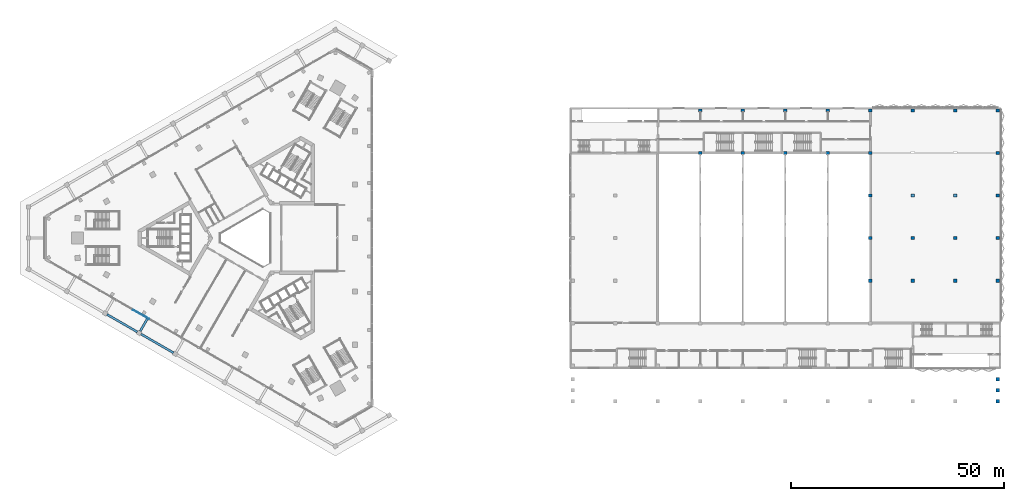
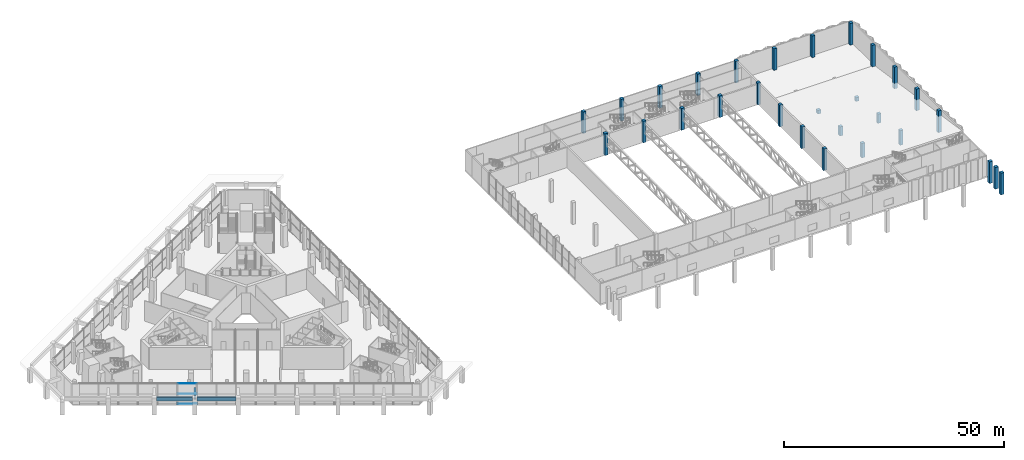
# One storey, part 2 of 51: 29 columns, 3 beams, 3 members, 1 element without a shape of its own.
"""IFC4 building model written with IfcOpenShell, lengths in metres."""

from ifc_helpers import new_model, si_unit, direction, frame, origin, origin_2d, place, context, subcontext, project, spatial, rectangle, extrude, material, layer, layer_set, material_profile, profile_set, type_object, element, aggregate, save


model = new_model("IFC4")

# Units and contexts
model_context = context("Model", 3, precision=1e-05, world=origin(), true_north=direction((0.0, 1.0)))
body_context = subcontext(model_context, "Body", "Model", "MODEL_VIEW")
ifc_project = project(units=[si_unit("LENGTHUNIT", "METRE"), si_unit("AREAUNIT", "SQUARE_METRE"), si_unit("VOLUMEUNIT", "CUBIC_METRE"), si_unit("PLANEANGLEUNIT", "RADIAN"), si_unit("MASSUNIT", "GRAM", prefix="KILO")], contexts=[model_context])

# Site, building, storey
site_placement = place(None, origin())
site = spatial("IfcSite", under=ifc_project, at=site_placement, CompositionType="ELEMENT")
building_placement = place(site_placement, origin())
building = spatial("IfcBuilding", under=site, at=building_placement, Name="Jabali Bay Hotel Tower and Convention Centre", CompositionType="ELEMENT")
storey_placement = place(building_placement, frame((0.0, 0.0, 9.0)))
storey = spatial("IfcBuildingStorey", under=building, at=storey_placement, Name="L01", CompositionType="ELEMENT", Elevation=9.0)

# Columns
ifc_material_1 = material(Name="Concrete C60", Category="concrete")
ifc_material_profile_1 = material_profile(ifc_material_1, rectangle(XDim=0.800048828125, YDim=0.800048828125, at=origin_2d()), Name="RC 800x800")
ifc_profile_set_1 = profile_set([ifc_material_profile_1], Name="Concrete C60")
column_type_1 = type_object("IfcColumnType", Name="CC Column 800x800 C60", PredefinedType="COLUMN", material=ifc_profile_set_1)
for number, where, z_axis, x_axis, name in (
    (1, (180.699951171875, 100.0, 0.0), (0.0, 0.0, 1.0), (1.0, 0.0, 0.0), "CC column CC4/F"),
    (2, (180.699951171875, 110.0, 0.0), (0.0, 0.0, 1.0), (1.0, 0.0, 0.0), "CC column CC4/G"),
    (3, (190.699951171875, 100.0, 0.0), (0.0, 0.0, 1.0), (1.0, 0.0, 0.0), "CC column CC5/F"),
    (4, (190.699951171875, 110.0, 0.0), (0.0, 0.0, 1.0), (1.0, 0.0, 0.0), "CC column CC5/G"),
    (5, (200.699951171875, 100.0, 0.0), (0.0, 0.0, 1.0), (1.0, 0.0, 0.0), "CC column CC6/F"),
    (6, (200.699951171875, 110.0, 0.0), (0.0, 0.0, 1.0), (1.0, 0.0, 0.0), "CC column CC6/G"),
    (7, (210.699951171875, 100.0, 0.0), (0.0, 0.0, 1.0), (1.0, 0.0, 0.0), "CC column CC7/F"),
    (8, (210.699951171875, 110.0, 0.0), (0.0, 0.0, 1.0), (1.0, 0.0, 0.0), "CC column CC7/G"),
    (9, (220.699951171875, 70.0, 0.0), (0.0, 0.0, 1.0), (1.0, 0.0, 0.0), "CC column CC8/C"),
    (10, (220.699951171875, 80.0, 0.0), (0.0, 0.0, 1.0), (1.0, 0.0, 0.0), "CC column CC8/D"),
    (11, (220.699951171875, 90.0, 0.0), (0.0, 0.0, 1.0), (1.0, 0.0, 0.0), "CC column CC8/E"),
    (12, (220.699951171875, 100.0, 0.0), (0.0, 0.0, 1.0), (1.0, 0.0, 0.0), "CC column CC8/F"),
    (13, (220.699951171875, 110.0, 0.0), (0.0, 0.0, 1.0), (1.0, 0.0, 0.0), "CC column CC8/G"),
):
    element("IfcColumn", number, at=place(storey_placement, frame(where, z_axis=z_axis, x_axis=x_axis)), inside=storey, type_object=column_type_1, Name=name, PredefinedType="COLUMN", context=body_context, shape_type="SweptSolid", body=[
        extrude(rectangle(XDim=0.800048828125, YDim=0.800048828125, at=origin_2d()), origin(), (0.0, 0.0, 1.0), 6.0),
    ])
column_1_placement = place(storey_placement, frame((230.699951171875, 70.0, 0.0), z_axis=(0.0, 0.0, 1.0), x_axis=(1.0, 0.0, 0.0)))
element("IfcColumn", 14, at=column_1_placement, inside=storey, type_object=column_type_1, Name="CC column CC9/C", PredefinedType="COLUMN", context=body_context, shape_type="SweptSolid", body=[
    extrude(rectangle(XDim=0.800048828125, YDim=0.800048828125, at=origin_2d()), origin(), (0.0, 0.0, 1.0), 4.044921875),
])
column_2_placement = place(storey_placement, frame((230.699951171875, 80.0, 0.0), z_axis=(0.0, 0.0, 1.0), x_axis=(1.0, 0.0, 0.0)))
element("IfcColumn", 15, at=column_2_placement, inside=storey, type_object=column_type_1, Name="CC column CC9/D", PredefinedType="COLUMN", context=body_context, shape_type="SweptSolid", body=[
    extrude(rectangle(XDim=0.800048828125, YDim=0.800048828125, at=origin_2d()), origin(), (0.0, 0.0, 1.0), 2.544921875),
])
column_3_placement = place(storey_placement, frame((230.699951171875, 90.0, 0.0), z_axis=(0.0, 0.0, 1.0), x_axis=(1.0, 0.0, 0.0)))
element("IfcColumn", 16, at=column_3_placement, inside=storey, type_object=column_type_1, Name="CC column CC9/E", PredefinedType="COLUMN", context=body_context, shape_type="SweptSolid", body=[
    extrude(rectangle(XDim=0.800048828125, YDim=0.800048828125, at=origin_2d()), origin(), (0.0, 0.0, 1.0), 1.044921875),
])
column_4_placement = place(storey_placement, frame((230.699951171875, 110.0, 0.0), z_axis=(0.0, 0.0, 1.0), x_axis=(1.0, 0.0, 0.0)))
element("IfcColumn", 17, at=column_4_placement, inside=storey, type_object=column_type_1, Name="CC column CC9/G", PredefinedType="COLUMN", context=body_context, shape_type="SweptSolid", body=[
    extrude(rectangle(XDim=0.800048828125, YDim=0.800048828125, at=origin_2d()), origin(), (0.0, 0.0, 1.0), 6.0),
])
column_5_placement = place(storey_placement, frame((240.699951171875, 70.0, 0.0), z_axis=(0.0, 0.0, 1.0), x_axis=(1.0, 0.0, 0.0)))
element("IfcColumn", 18, at=column_5_placement, inside=storey, type_object=column_type_1, Name="CC column CC10/C", PredefinedType="COLUMN", context=body_context, shape_type="SweptSolid", body=[
    extrude(rectangle(XDim=0.800048828125, YDim=0.800048828125, at=origin_2d()), origin(), (0.0, 0.0, 1.0), 4.044921875),
])
column_6_placement = place(storey_placement, frame((240.699951171875, 80.0, 0.0), z_axis=(0.0, 0.0, 1.0), x_axis=(1.0, 0.0, 0.0)))
element("IfcColumn", 19, at=column_6_placement, inside=storey, type_object=column_type_1, Name="CC column CC10/D", PredefinedType="COLUMN", context=body_context, shape_type="SweptSolid", body=[
    extrude(rectangle(XDim=0.800048828125, YDim=0.800048828125, at=origin_2d()), origin(), (0.0, 0.0, 1.0), 2.544921875),
])
column_7_placement = place(storey_placement, frame((240.699951171875, 90.0, 0.0), z_axis=(0.0, 0.0, 1.0), x_axis=(1.0, 0.0, 0.0)))
element("IfcColumn", 20, at=column_7_placement, inside=storey, type_object=column_type_1, Name="CC column CC10/E", PredefinedType="COLUMN", context=body_context, shape_type="SweptSolid", body=[
    extrude(rectangle(XDim=0.800048828125, YDim=0.800048828125, at=origin_2d()), origin(), (0.0, 0.0, 1.0), 1.044921875),
])
for number, where, z_axis, x_axis, name in (
    (21, (240.699951171875, 110.0, 0.0), (0.0, 0.0, 1.0), (1.0, 0.0, 0.0), "CC column CC10/G"),
    (22, (250.699951171875, 70.0, 0.0), (0.0, 0.0, 1.0), (1.0, 0.0, 0.0), "CC column CC11/C"),
    (23, (250.699951171875, 80.0, 0.0), (0.0, 0.0, 1.0), (1.0, 0.0, 0.0), "CC column CC11/D"),
    (24, (250.699951171875, 90.0, 0.0), (0.0, 0.0, 1.0), (1.0, 0.0, 0.0), "CC column CC11/E"),
    (25, (250.699951171875, 100.0, 0.0), (0.0, 0.0, 1.0), (1.0, 0.0, 0.0), "CC column CC11/F"),
    (26, (250.699951171875, 110.0, 0.0), (0.0, 0.0, 1.0), (1.0, 0.0, 0.0), "CC column CC11/G"),
):
    element("IfcColumn", number, at=place(storey_placement, frame(where, z_axis=z_axis, x_axis=x_axis)), inside=storey, type_object=column_type_1, Name=name, PredefinedType="COLUMN", context=body_context, shape_type="SweptSolid", body=[
        extrude(rectangle(XDim=0.800048828125, YDim=0.800048828125, at=origin_2d()), origin(), (0.0, 0.0, 1.0), 6.0),
    ])
ifc_material_profile_2 = material_profile(ifc_material_1, rectangle(XDim=0.800048828125, YDim=0.800048828125, at=origin_2d()), Name="RC 800x800")
ifc_profile_set_2 = profile_set([ifc_material_profile_2], Name="Concrete C60")
column_type_2 = type_object("IfcColumnType", Name="CC South Pier 800x800", PredefinedType="COLUMN", material=ifc_profile_set_2)
for number, where, z_axis, x_axis, name in (
    (27, (250.699951171875, 44.199951171875, 0.0), (0.0, 0.0, 1.0), (1.0, 0.0, 0.0), "CC south roof return pier E1"),
    (28, (250.699951171875, 46.800048828125, 0.0), (0.0, 0.0, 1.0), (1.0, 0.0, 0.0), "CC south roof return pier E2"),
    (29, (250.699951171875, 41.60009765625, 0.0), (0.0, 0.0, 1.0), (1.0, 0.0, 0.0), "CC south roof pier 11"),
):
    element("IfcColumn", number, at=place(storey_placement, frame(where, z_axis=z_axis, x_axis=x_axis)), inside=storey, type_object=column_type_2, Name=name, PredefinedType="COLUMN", context=body_context, shape_type="SweptSolid", body=[
        extrude(rectangle(XDim=0.800048828125, YDim=0.800048828125, at=origin_2d()), origin(), (0.0, 0.0, 1.0), 6.0),
    ])

# Beams
ifc_material_2 = material(Name="Concrete C40", Category="concrete")
ifc_material_profile_3 = material_profile(ifc_material_2, rectangle(XDim=0.5, YDim=1.0, at=origin_2d()), Name="RC 500x1000")
ifc_profile_set_3 = profile_set([ifc_material_profile_3], Name="Concrete C40")
beam_type = type_object("IfcBeamType", Name="Arcade Edge Beam 500x1000", PredefinedType="BEAM", material=ifc_profile_set_3)
beam_1_placement = place(storey_placement, frame((41.13818359375, 62.0224609375, 4.199951171875), z_axis=(0.866024310987, -0.500001892776, 0.0), x_axis=(0.500001892776, 0.866024310987, 0.0)))
element("IfcBeam", 30, at=beam_1_placement, inside=storey, type_object=beam_type, Name="Arcade edge beam 15", PredefinedType="BEAM", context=body_context, shape_type="SweptSolid", body=[
    extrude(rectangle(XDim=0.5, YDim=1.0, at=origin_2d()), origin(), (0.0, 0.0, 1.0), 8.21826171875),
])
beam_2_placement = place(storey_placement, frame((49.121337890625, 57.413330078125, 4.199951171875), z_axis=(0.866019606374, -0.500010041276, 0.0), x_axis=(0.500010041276, 0.866019606374, 0.0)))
element("IfcBeam", 31, at=beam_2_placement, inside=storey, type_object=beam_type, Name="Arcade edge beam 16", PredefinedType="BEAM", context=body_context, shape_type="SweptSolid", body=[
    extrude(rectangle(XDim=0.5, YDim=1.0, at=origin_2d()), origin(), (0.0, 0.0, 1.0), 8.818115234375),
])
beam_3_placement = place(storey_placement, frame((48.938232421875, 58.09619140625, 4.199951171875), z_axis=(0.50002983664, 0.866008176907, 0.0), x_axis=(-0.866008176907, 0.50002983664, 0.0)))
element("IfcBeam", 32, at=beam_3_placement, inside=storey, type_object=beam_type, Name="Arcade cross beam 12", PredefinedType="BEAM", context=body_context, shape_type="SweptSolid", body=[
    extrude(rectangle(XDim=0.5, YDim=1.0, at=origin_2d()), origin(), (0.0, 0.0, 1.0), 3.300048828125),
])

# Curtain wall, members
ifc_material_3 = material(Name="Aluminium and glass", Category="aluminium")
ifc_layer = layer(ifc_material_3, 0.179931640625)
ifc_layer_set = layer_set([ifc_layer], Name="Aluminium and glass")
curtain_wall_type = type_object("IfcCurtainWallType", Name="CW1 curtain wall", PredefinedType="NOTDEFINED", material=ifc_layer_set)
curtain_wall_placement = place(storey_placement, origin())
curtain_wall = element("IfcCurtainWall", 33, at=curtain_wall_placement, inside=storey, type_object=curtain_wall_type, Name="CW1 curtain wall south-west face L01", PredefinedType="NOTDEFINED")
ifc_material_4 = material(Name="Aluminium", Category="aluminium")
ifc_material_profile_4 = material_profile(ifc_material_4, rectangle(XDim=0.139892578125, YDim=0.06005859375, at=origin_2d()), Name="CW1 transom 60 x 140")
ifc_profile_set_4 = profile_set([ifc_material_profile_4], Name="Aluminium")
member_type = type_object("IfcMemberType", Name="CW1 transom 60 x 140", PredefinedType="USERDEFINED", material=ifc_profile_set_4)
member_1_placement = place(storey_placement, frame((51.07958984375, 60.9013671875, 0.030029296875), z_axis=(-0.866019052629, 0.500011000363, 0.0), x_axis=(-0.500011000363, -0.866019052629, 0.0)))
member_1 = element("IfcMember", 34, at=member_1_placement, type_object=member_type, Name="CW1 transom 12.1", ObjectType="TRANSOM", PredefinedType="USERDEFINED", context=body_context, shape_type="SweptSolid", body=[
    extrude(rectangle(XDim=0.139892578125, YDim=0.06005859375, at=origin_2d()), origin(), (0.0, 0.0, 1.0), 4.39453125),
])
member_2_placement = place(storey_placement, frame((51.07958984375, 60.9013671875, 2.800048828125), z_axis=(-0.866019052629, 0.500011000363, 0.0), x_axis=(-0.500011000363, -0.866019052629, 0.0)))
member_2 = element("IfcMember", 35, at=member_2_placement, type_object=member_type, Name="CW1 transom 12.2", ObjectType="TRANSOM", PredefinedType="USERDEFINED", context=body_context, shape_type="SweptSolid", body=[
    extrude(rectangle(XDim=0.139892578125, YDim=0.06005859375, at=origin_2d()), origin(), (0.0, 0.0, 1.0), 4.39453125),
])
member_3_placement = place(storey_placement, frame((51.07958984375, 60.9013671875, 5.570068359375), z_axis=(-0.866019052629, 0.500011000363, 0.0), x_axis=(-0.500011000363, -0.866019052629, 0.0)))
member_3 = element("IfcMember", 36, at=member_3_placement, type_object=member_type, Name="CW1 transom 12.3", ObjectType="TRANSOM", PredefinedType="USERDEFINED", context=body_context, shape_type="SweptSolid", body=[
    extrude(rectangle(XDim=0.139892578125, YDim=0.06005859375, at=origin_2d()), origin(), (0.0, 0.0, 1.0), 4.39453125),
])
aggregate(curtain_wall, [member_1, member_2, member_3])

save(model, "model.ifc")
